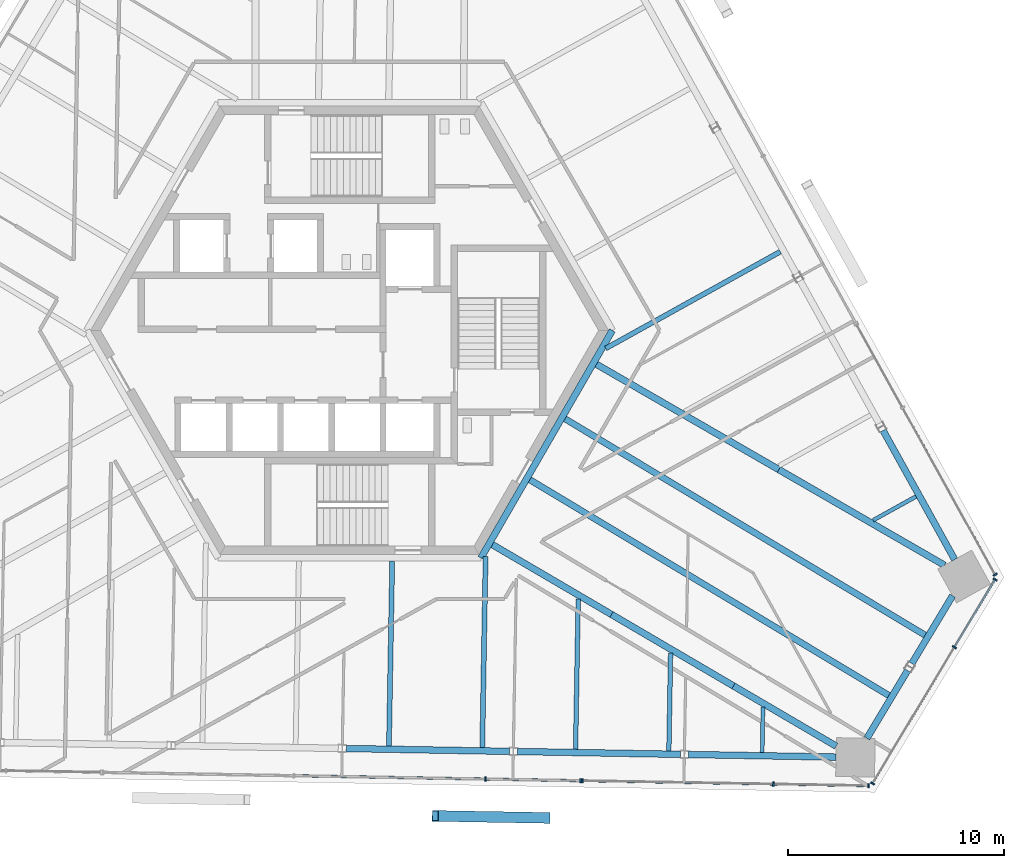
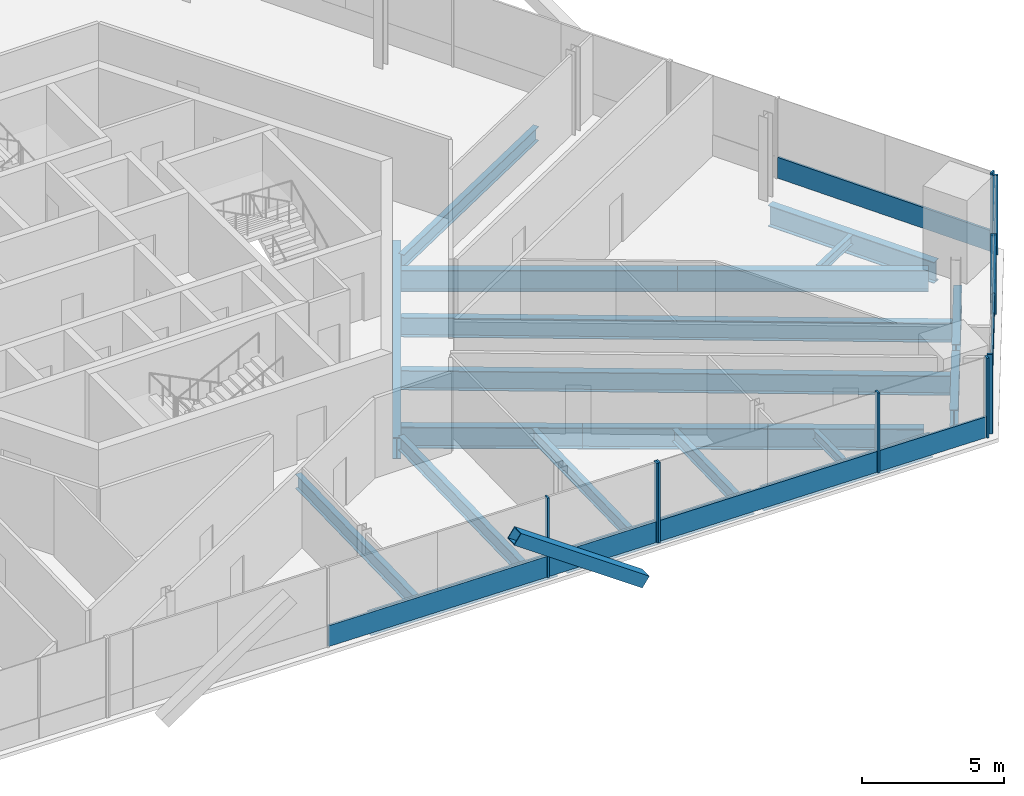
# One storey, part 6 of 18: 21 beams, 17 members, 4 elements without a shape of their own.
"""IFC4 building model written with IfcOpenShell, lengths in metres."""

from ifc_helpers import new_model, si_unit, direction, frame, origin, origin_2d, place, context, subcontext, project, spatial, rectangle, hollow_rectangle, i_section, extrude, source, transform, mapped, material, material_profile, profile_set, type_object, element, aggregate, save


model = new_model("IFC4")

# Units and contexts
model_context = context("Model", 3, precision=1e-05, world=origin(), true_north=direction((0.0, 1.0)))
body_context = subcontext(model_context, "Body", "Model", "MODEL_VIEW")
ifc_project = project(units=[si_unit("LENGTHUNIT", "METRE"), si_unit("AREAUNIT", "SQUARE_METRE"), si_unit("VOLUMEUNIT", "CUBIC_METRE"), si_unit("PLANEANGLEUNIT", "RADIAN"), si_unit("MASSUNIT", "GRAM", prefix="KILO")], contexts=[model_context])

# Site, building, storey
site_placement = place(None, origin())
site = spatial("IfcSite", under=ifc_project, at=site_placement, CompositionType="ELEMENT")
building_placement = place(site_placement, origin())
building = spatial("IfcBuilding", under=site, at=building_placement, Name="Triune Harvest Tower", CompositionType="ELEMENT")
storey_placement = place(building_placement, frame((0.0, 0.0, 190.699951171875)))
storey = spatial("IfcBuildingStorey", under=building, at=storey_placement, Name="L49", CompositionType="ELEMENT", Elevation=190.699951171875)

# Beams
ifc_material_1 = material(Name="Steel ASTM A992 Gr 50", Category="steel")
ifc_material_profile_1 = material_profile(ifc_material_1, i_section(OverallWidth=0.3046875, OverallDepth=0.914306640625, WebThickness=0.0166015625, FlangeThickness=0.02587890625, at=origin_2d()), Name="W36x160")
ifc_profile_set_1 = profile_set([ifc_material_profile_1], Name="Steel ASTM A992 Gr 50")
beam_type_1 = type_object("IfcBeamType", Name="CG-1 Core ring girder W36x160", PredefinedType="BEAM", material=ifc_profile_set_1)
shared_shape_1 = source(origin(), body_context, "Body", "SweptSolid", [
    extrude(i_section(OverallWidth=0.3046875, OverallDepth=0.914306640625, WebThickness=0.0166015625, FlangeThickness=0.02587890625, at=origin_2d()), origin(), (0.0, 0.0, 1.0), 12.176025390625),
])
beam_1_placement = place(storey_placement, frame((6.087890625, -10.544677734375, -0.6171875), z_axis=(0.5000099932, 0.866019634131, 0.0), x_axis=(-0.866019634131, 0.5000099932, 0.0)))
element("IfcBeam", 1, at=beam_1_placement, inside=storey, type_object=beam_type_1, Name="beam/L49/CG6", PredefinedType="BEAM", context=body_context, shape_type="MappedRepresentation", body=[
    mapped(shared_shape_1, transform((0.0, 0.0, 0.0), scale=1.0)),
])
ifc_material_2 = material(Name="Steel ASTM A992 Gr 50", Category="steel")
ifc_material_profile_2 = material_profile(ifc_material_2, i_section(OverallWidth=0.307373046875, OverallDepth=0.922119140625, WebThickness=0.018310546875, FlangeThickness=0.030029296875, at=origin_2d()), Name="W36x182")
ifc_profile_set_2 = profile_set([ifc_material_profile_2], Name="Steel ASTM A992 Gr 50")
beam_type_2 = type_object("IfcBeamType", Name="HG-2 Hip girder W36x182", PredefinedType="BEAM", material=ifc_profile_set_2)
shared_shape_2 = source(origin(), body_context, "Body", "SweptSolid", [
    extrude(i_section(OverallWidth=0.307373046875, OverallDepth=0.922119140625, WebThickness=0.018310546875, FlangeThickness=0.030029296875, at=origin_2d()), origin(), (0.0, 0.0, 1.0), 9.7568359375),
])
beam_2_placement = place(storey_placement, frame((19.893310546875, -6.451904296875, -0.620849609375), z_axis=(-0.866026409454, 0.499998258125, 0.0), x_axis=(-0.499998258125, -0.866026409454, 0.0)))
element("IfcBeam", 2, at=beam_2_placement, inside=storey, type_object=beam_type_2, Name="beam/L49/HG2", PredefinedType="BEAM", context=body_context, shape_type="MappedRepresentation", body=[
    mapped(shared_shape_2, transform((0.0, 0.0, 0.0), scale=1.0)),
])
shared_shape_3 = source(origin(), body_context, "Body", "SweptSolid", [
    extrude(i_section(OverallWidth=0.307373046875, OverallDepth=0.922119140625, WebThickness=0.018310546875, FlangeThickness=0.030029296875, at=origin_2d()), origin(), (0.0, 0.0, 1.0), 6.549560546875),
])
beam_3_placement = place(storey_placement, frame((17.789306640625, -16.475341796875, -0.620849609375), z_axis=(-0.862742829324, 0.50564296737, 0.0), x_axis=(-0.50564296737, -0.862742829324, 0.0)))
element("IfcBeam", 3, at=beam_3_placement, inside=storey, type_object=beam_type_2, Name="beam/L49/HG9", PredefinedType="BEAM", context=body_context, shape_type="MappedRepresentation", body=[
    mapped(shared_shape_3, transform((0.0, 0.0, 0.0), scale=1.0)),
])
shared_shape_4 = source(origin(), body_context, "Body", "SweptSolid", [
    extrude(i_section(OverallWidth=0.307373046875, OverallDepth=0.922119140625, WebThickness=0.018310546875, FlangeThickness=0.030029296875, at=origin_2d()), origin(), (0.0, 0.0, 1.0), 6.397216796875),
])
beam_4_placement = place(storey_placement, frame((12.138671875, -13.16357421875, -0.620849609375), z_axis=(-0.862754230068, 0.505623514583, 0.0), x_axis=(-0.505623514583, -0.862754230068, 0.0)))
element("IfcBeam", 4, at=beam_4_placement, inside=storey, type_object=beam_type_2, Name="beam/L49/HG10", PredefinedType="BEAM", context=body_context, shape_type="MappedRepresentation", body=[
    mapped(shared_shape_4, transform((0.0, 0.0, 0.0), scale=1.0)),
])
ifc_material_3 = material(Name="Steel ASTM A992 Gr 50", Category="steel")
ifc_material_profile_3 = material_profile(ifc_material_3, i_section(OverallWidth=0.3046875, OverallDepth=0.914306640625, WebThickness=0.0166015625, FlangeThickness=0.02587890625, at=origin_2d()), Name="W36x160")
ifc_profile_set_3 = profile_set([ifc_material_profile_3], Name="Steel ASTM A992 Gr 50")
beam_type_3 = type_object("IfcBeamType", Name="SB-1 Spandrel beam W36x160", PredefinedType="SPANDREL", material=ifc_profile_set_3)
shared_shape_5 = source(origin(), body_context, "Body", "SweptSolid", [
    extrude(i_section(OverallWidth=0.3046875, OverallDepth=0.914306640625, WebThickness=0.0166015625, FlangeThickness=0.02587890625, at=origin_2d()), origin(), (0.0, 0.0, 1.0), 6.841796875),
])
for number, where, z_axis, x_axis, name in (
    (5, (28.0390625, -10.61962890625, -0.6171875), (-0.484833781575, 0.87460631386, 0.0), (-0.87460631386, -0.484833781575, 0.0), "beam/L49/SB1"),
    (6, (15.69921875, -19.65185546875, -0.6171875), (0.999847128578, -0.017484835582, 0.0), (0.017484835582, 0.999847128578, 0.0), "beam/L49/SB22"),
):
    element("IfcBeam", number, at=place(storey_placement, frame(where, z_axis=z_axis, x_axis=x_axis)), inside=storey, type_object=beam_type_3, Name=name, PredefinedType="SPANDREL", context=body_context, shape_type="MappedRepresentation", body=[
        mapped(shared_shape_5, transform((0.0, 0.0, 0.0), scale=1.0)),
    ])
shared_shape_6 = source(origin(), body_context, "Body", "SweptSolid", [
    extrude(i_section(OverallWidth=0.3046875, OverallDepth=0.914306640625, WebThickness=0.0166015625, FlangeThickness=0.02587890625, at=origin_2d()), origin(), (0.0, 0.0, 1.0), 3.66357421875),
])
beam_5_placement = place(storey_placement, frame((23.97509765625, -18.896240234375, -0.6171875), z_axis=(0.51504443288, 0.857163480416, 0.0), x_axis=(-0.857163480416, 0.51504443288, 0.0)))
element("IfcBeam", 7, at=beam_5_placement, inside=storey, type_object=beam_type_3, Name="beam/L49/SB23", PredefinedType="SPANDREL", context=body_context, shape_type="MappedRepresentation", body=[
    mapped(shared_shape_6, transform((0.0, 0.0, 0.0), scale=1.0)),
])
shared_shape_7 = source(origin(), body_context, "Body", "SweptSolid", [
    extrude(i_section(OverallWidth=0.3046875, OverallDepth=0.914306640625, WebThickness=0.0166015625, FlangeThickness=0.02587890625, at=origin_2d()), origin(), (0.0, 0.0, 1.0), 7.556640625),
])
for number, where, z_axis, x_axis, name in (
    (8, (-0.15283203125, -19.375244140625, -0.6171875), (0.999847797686, -0.017446531514, 0.0), (0.017446531514, 0.999847797686, 0.0), "beam/L49/SB20"),
    (9, (7.773193359375, -19.513671875, -0.6171875), (0.999847797686, -0.017446531514, 0.0), (0.017446531514, 0.999847797686, 0.0), "beam/L49/SB21"),
):
    element("IfcBeam", number, at=place(storey_placement, frame(where, z_axis=z_axis, x_axis=x_axis)), inside=storey, type_object=beam_type_3, Name=name, PredefinedType="SPANDREL", context=body_context, shape_type="MappedRepresentation", body=[
        mapped(shared_shape_7, transform((0.0, 0.0, 0.0), scale=1.0)),
    ])
shared_shape_8 = source(origin(), body_context, "Body", "SweptSolid", [
    extrude(i_section(OverallWidth=0.3046875, OverallDepth=0.914306640625, WebThickness=0.0166015625, FlangeThickness=0.02587890625, at=origin_2d()), origin(), (0.0, 0.0, 1.0), 3.663818359375),
])
beam_6_placement = place(storey_placement, frame((26.052978515625, -15.43798828125, -0.6171875), z_axis=(0.515093391182, 0.857134060903, 0.0), x_axis=(-0.857134060903, 0.515093391182, 0.0)))
element("IfcBeam", 10, at=beam_6_placement, inside=storey, type_object=beam_type_3, Name="beam/L49/SB24", PredefinedType="SPANDREL", context=body_context, shape_type="MappedRepresentation", body=[
    mapped(shared_shape_8, transform((0.0, 0.0, 0.0), scale=1.0)),
])
shared_shape_9 = source(origin(), body_context, "Body", "SweptSolid", [
    extrude(i_section(OverallWidth=0.307373046875, OverallDepth=0.922119140625, WebThickness=0.018310546875, FlangeThickness=0.030029296875, at=origin_2d()), origin(), (0.0, 0.0, 1.0), 8.859619140625),
])
beam_7_placement = place(storey_placement, frame((27.56591796875, -10.8818359375, -0.620849609375), z_axis=(-0.866018088107, 0.500012670911, 0.0), x_axis=(-0.500012670911, -0.866018088107, 0.0)))
element("IfcBeam", 11, at=beam_7_placement, inside=storey, type_object=beam_type_2, Name="beam/L49/HG1", PredefinedType="BEAM", context=body_context, shape_type="MappedRepresentation", body=[
    mapped(shared_shape_9, transform((0.0, 0.0, 0.0), scale=1.0)),
])
shared_shape_10 = source(origin(), body_context, "Body", "SweptSolid", [
    extrude(i_section(OverallWidth=0.307373046875, OverallDepth=0.922119140625, WebThickness=0.018310546875, FlangeThickness=0.030029296875, at=origin_2d()), origin(), (0.0, 0.0, 1.0), 5.516845703125),
])
beam_8_placement = place(storey_placement, frame((22.548828125, -19.264892578125, -0.620849609375), z_axis=(-0.862738579495, 0.505650218482, 0.0), x_axis=(-0.505650218482, -0.862738579495, 0.0)))
element("IfcBeam", 12, at=beam_8_placement, inside=storey, type_object=beam_type_2, Name="beam/L49/HG8", PredefinedType="BEAM", context=body_context, shape_type="MappedRepresentation", body=[
    mapped(shared_shape_10, transform((0.0, 0.0, 0.0), scale=1.0)),
])
ifc_material_4 = material(Name="Steel ASTM A992 Gr 50", Category="steel")
ifc_material_profile_4 = material_profile(ifc_material_4, i_section(OverallWidth=0.180908203125, OverallDepth=0.41650390625, WebThickness=0.010986328125, FlangeThickness=0.01806640625, at=origin_2d()), Name="W16x57")
ifc_profile_set_4 = profile_set([ifc_material_profile_4], Name="Steel ASTM A992 Gr 50")
beam_type_4 = type_object("IfcBeamType", Name="JT-1 Floor joist W16x57", PredefinedType="JOIST", material=ifc_profile_set_4)
shared_shape_11 = source(origin(), body_context, "Body", "SweptSolid", [
    extrude(i_section(OverallWidth=0.180908203125, OverallDepth=0.41650390625, WebThickness=0.010986328125, FlangeThickness=0.01806640625, at=origin_2d()), origin(), (0.0, 0.0, 1.0), 2.266357421875),
])
beam_9_placement = place(storey_placement, frame((26.24560546875, -7.698974609375, -0.3681640625), z_axis=(-0.874639585413, -0.484773757157, 0.0), x_axis=(0.484773757157, -0.874639585413, 0.0)))
element("IfcBeam", 13, at=beam_9_placement, inside=storey, type_object=beam_type_4, Name="beam/L49/JT1", PredefinedType="JOIST", context=body_context, shape_type="MappedRepresentation", body=[
    mapped(shared_shape_11, transform((0.0, 0.0, 0.0), scale=1.0)),
])
ifc_material_5 = material(Name="Steel ASTM A992 Gr 50", Category="steel")
ifc_material_profile_5 = material_profile(ifc_material_5, i_section(OverallWidth=0.22900390625, OverallDepth=0.612060546875, WebThickness=0.011962890625, FlangeThickness=0.01953125, at=origin_2d()), Name="W24x84")
ifc_profile_set_5 = profile_set([ifc_material_profile_5], Name="Steel ASTM A992 Gr 50")
beam_type_5 = type_object("IfcBeamType", Name="JT-3 Floor joist W24x84", PredefinedType="JOIST", material=ifc_profile_set_5)
shared_shape_12 = source(origin(), body_context, "Body", "SweptSolid", [
    extrude(i_section(OverallWidth=0.22900390625, OverallDepth=0.612060546875, WebThickness=0.011962890625, FlangeThickness=0.01953125, at=origin_2d()), origin(), (0.0, 0.0, 1.0), 9.247314453125),
])
beam_10_placement = place(storey_placement, frame((19.956787109375, 3.646484375, -0.466064453125), z_axis=(-0.874621389222, -0.484806585676, 0.0), x_axis=(0.484806585676, -0.874621389222, 0.0)))
element("IfcBeam", 14, at=beam_10_placement, inside=storey, type_object=beam_type_5, Name="beam/L49/JT4", PredefinedType="JOIST", context=body_context, shape_type="MappedRepresentation", body=[
    mapped(shared_shape_12, transform((0.0, 0.0, 0.0), scale=1.0)),
])
ifc_material_6 = material(Name="Steel ASTM A992 Gr 50", Category="steel")
ifc_material_profile_6 = material_profile(ifc_material_6, i_section(OverallWidth=0.2919921875, OverallDepth=0.8408203125, WebThickness=0.0146484375, FlangeThickness=0.021728515625, at=origin_2d()), Name="W33x130")
ifc_profile_set_6 = profile_set([ifc_material_profile_6], Name="Steel ASTM A992 Gr 50")
beam_type_6 = type_object("IfcBeamType", Name="JT-6 Floor joist W33x130", PredefinedType="JOIST", material=ifc_profile_set_6)
shared_shape_13 = source(origin(), body_context, "Body", "SweptSolid", [
    extrude(i_section(OverallWidth=0.2919921875, OverallDepth=0.8408203125, WebThickness=0.0146484375, FlangeThickness=0.021728515625, at=origin_2d()), origin(), (0.0, 0.0, 1.0), 19.403564453125),
])
beam_11_placement = place(storey_placement, frame((24.98779296875, -16.915283203125, -0.580322265625), z_axis=(-0.857165243619, 0.515041498456, 0.0), x_axis=(-0.515041498456, -0.857165243619, 0.0)))
element("IfcBeam", 15, at=beam_11_placement, inside=storey, type_object=beam_type_6, Name="beam/L49/JT35", PredefinedType="JOIST", context=body_context, shape_type="MappedRepresentation", body=[
    mapped(shared_shape_13, transform((0.0, 0.0, 0.0), scale=1.0)),
])
shared_shape_14 = source(origin(), body_context, "Body", "SweptSolid", [
    extrude(i_section(OverallWidth=0.2919921875, OverallDepth=0.8408203125, WebThickness=0.0146484375, FlangeThickness=0.021728515625, at=origin_2d()), origin(), (0.0, 0.0, 1.0), 19.460205078125),
])
beam_12_placement = place(storey_placement, frame((26.666259765625, -14.12158203125, -0.580322265625), z_axis=(-0.85716841359, 0.515036222749, 0.0), x_axis=(-0.515036222749, -0.85716841359, 0.0)))
element("IfcBeam", 16, at=beam_12_placement, inside=storey, type_object=beam_type_6, Name="beam/L49/JT36", PredefinedType="JOIST", context=body_context, shape_type="MappedRepresentation", body=[
    mapped(shared_shape_14, transform((0.0, 0.0, 0.0), scale=1.0)),
])
shared_shape_15 = source(origin(), body_context, "Body", "SweptSolid", [
    extrude(i_section(OverallWidth=0.22900390625, OverallDepth=0.612060546875, WebThickness=0.011962890625, FlangeThickness=0.01953125, at=origin_2d()), origin(), (0.0, 0.0, 1.0), 8.5615234375),
])
beam_13_placement = place(storey_placement, frame((1.826171875, -19.25732421875, -0.466064453125), z_axis=(0.017451638412, 0.999847708562, 0.0), x_axis=(-0.999847708562, 0.017451638412, 0.0)))
element("IfcBeam", 17, at=beam_13_placement, inside=storey, type_object=beam_type_5, Name="beam/L49/JT30", PredefinedType="JOIST", context=body_context, shape_type="MappedRepresentation", body=[
    mapped(shared_shape_15, transform((0.0, 0.0, 0.0), scale=1.0)),
])
shared_shape_16 = source(origin(), body_context, "Body", "SweptSolid", [
    extrude(i_section(OverallWidth=0.180908203125, OverallDepth=0.41650390625, WebThickness=0.010986328125, FlangeThickness=0.01806640625, at=origin_2d()), origin(), (0.0, 0.0, 1.0), 2.104736328125),
])
beam_14_placement = place(storey_placement, frame((19.119384765625, -19.55908203125, -0.3681640625), z_axis=(0.017398758065, 0.999848630152, 0.0), x_axis=(-0.999848630152, 0.017398758065, 0.0)))
element("IfcBeam", 18, at=beam_14_placement, inside=storey, type_object=beam_type_4, Name="beam/L49/JT34", PredefinedType="JOIST", context=body_context, shape_type="MappedRepresentation", body=[
    mapped(shared_shape_16, transform((0.0, 0.0, 0.0), scale=1.0)),
])
shared_shape_17 = source(origin(), body_context, "Body", "SweptSolid", [
    extrude(i_section(OverallWidth=0.22900390625, OverallDepth=0.612060546875, WebThickness=0.011962890625, FlangeThickness=0.01953125, at=origin_2d()), origin(), (0.0, 0.0, 1.0), 8.859130859375),
])
beam_15_placement = place(storey_placement, frame((6.1494140625, -19.3330078125, -0.466064453125), z_axis=(0.017472043805, 0.999847352192, 0.0), x_axis=(-0.999847352192, 0.017472043805, 0.0)))
element("IfcBeam", 19, at=beam_15_placement, inside=storey, type_object=beam_type_5, Name="beam/L49/JT31", PredefinedType="JOIST", context=body_context, shape_type="MappedRepresentation", body=[
    mapped(shared_shape_17, transform((0.0, 0.0, 0.0), scale=1.0)),
])
ifc_material_7 = material(Name="Steel ASTM A992 Gr 50", Category="steel")
ifc_material_profile_7 = material_profile(ifc_material_7, i_section(OverallWidth=0.2099609375, OverallDepth=0.535888671875, WebThickness=0.010986328125, FlangeThickness=0.017333984375, at=origin_2d()), Name="W21x68")
ifc_profile_set_7 = profile_set([ifc_material_profile_7], Name="Steel ASTM A992 Gr 50")
beam_type_7 = type_object("IfcBeamType", Name="JT-2 Floor joist W21x68", PredefinedType="JOIST", material=ifc_profile_set_7)
shared_shape_18 = source(origin(), body_context, "Body", "SweptSolid", [
    extrude(i_section(OverallWidth=0.2099609375, OverallDepth=0.535888671875, WebThickness=0.010986328125, FlangeThickness=0.017333984375, at=origin_2d()), origin(), (0.0, 0.0, 1.0), 6.972412109375),
])
beam_16_placement = place(storey_placement, frame((10.47265625, -19.408203125, -0.427978515625), z_axis=(0.017472380522, 0.999847346308, 0.0), x_axis=(-0.999847346308, 0.017472380522, 0.0)))
element("IfcBeam", 20, at=beam_16_placement, inside=storey, type_object=beam_type_7, Name="beam/L49/JT32", PredefinedType="JOIST", context=body_context, shape_type="MappedRepresentation", body=[
    mapped(shared_shape_18, transform((0.0, 0.0, 0.0), scale=1.0)),
])
shared_shape_19 = source(origin(), body_context, "Body", "SweptSolid", [
    extrude(i_section(OverallWidth=0.2099609375, OverallDepth=0.535888671875, WebThickness=0.010986328125, FlangeThickness=0.017333984375, at=origin_2d()), origin(), (0.0, 0.0, 1.0), 4.5390625),
])
beam_17_placement = place(storey_placement, frame((14.7958984375, -19.48388671875, -0.427978515625), z_axis=(0.017480786476, 0.999847199378, 0.0), x_axis=(-0.999847199378, 0.017480786476, 0.0)))
element("IfcBeam", 21, at=beam_17_placement, inside=storey, type_object=beam_type_7, Name="beam/L49/JT33", PredefinedType="JOIST", context=body_context, shape_type="MappedRepresentation", body=[
    mapped(shared_shape_19, transform((0.0, 0.0, 0.0), scale=1.0)),
])

# Member
ifc_material_8 = material(Name="Steel ASTM A572 Gr 50", Category="steel")
ifc_material_profile_8 = material_profile(ifc_material_8, hollow_rectangle(XDim=0.5, YDim=0.5, WallThickness=0.030029296875, at=origin_2d()), Name="Box 500x500x30")
ifc_profile_set_8 = profile_set([ifc_material_profile_8], Name="Steel ASTM A572 Gr 50")
member_type_1 = type_object("IfcMemberType", Name="BR-3 Brace Box 500x500x30", PredefinedType="BRACE", material=ifc_profile_set_8)
shared_shape_20 = source(origin(), body_context, "Body", "SweptSolid", [
    extrude(hollow_rectangle(XDim=0.5, YDim=0.5, WallThickness=0.030029296875, at=origin_2d()), origin(), (0.0, 0.0, 1.0), 6.302978515625),
])
member_1_placement = place(storey_placement, frame((9.14697265625, -22.590087890625, 0.0), z_axis=(-0.820702450546, 0.014331692784, 0.57117605889), x_axis=(-0.017460052757, -0.99984756166, 0.0)))
element("IfcMember", 22, at=member_1_placement, inside=storey, type_object=member_type_1, Name="brace/B5-F5/d2/4", PredefinedType="BRACE", context=body_context, shape_type="MappedRepresentation", body=[
    mapped(shared_shape_20, transform((0.0, 0.0, 0.0), scale=1.0)),
])

# Curtain wall, member
ifc_material_9 = material(Name="Aluminium bronze anodised", Category="aluminium")
curtain_wall_type_1 = type_object("IfcCurtainWallType", Name="CW-1 Tower stick curtain wall", PredefinedType="NOTDEFINED", material=ifc_material_9)
curtain_wall_1_placement = place(storey_placement, origin())
curtain_wall_1 = element("IfcCurtainWall", 23, at=curtain_wall_1_placement, inside=storey, type_object=curtain_wall_type_1, Name="CW-1 B5-F1 L49 run 1")
ifc_material_10 = material(Name="Aluminium bronze anodised", Category="aluminium")
ifc_material_profile_9 = material_profile(ifc_material_10, rectangle(XDim=0.199951171875, YDim=0.074951171875, at=origin_2d()), Name="MU-1 mullion 75 x 200")
ifc_profile_set_9 = profile_set([ifc_material_profile_9], Name="Aluminium bronze anodised")
member_type_2 = type_object("IfcMemberType", Name="MU-1 mullion 75 x 200", PredefinedType="MULLION", material=ifc_profile_set_9)
shared_shape_21 = source(origin(), body_context, "Body", "SweptSolid", [
    extrude(rectangle(XDim=0.199951171875, YDim=0.074951171875, at=origin_2d()), origin(), (0.0, 0.0, 1.0), 3.43994140625),
])
member_2_placement = place(storey_placement, frame((29.916748046875, -11.321533203125, 0.0), z_axis=(0.0, 0.0, 1.0), x_axis=(-0.874620747076, -0.484807744147, 0.0)))
member_2 = element("IfcMember", 24, at=member_2_placement, type_object=member_type_2, Name="CW-1 mullion B5-F1 1.1", PredefinedType="MULLION", context=body_context, shape_type="MappedRepresentation", body=[
    mapped(shared_shape_21, transform((0.0, 0.0, 0.0), scale=1.0)),
])

# Curtain wall, members
ifc_material_11 = material(Name="Aluminium bronze anodised", Category="aluminium")
curtain_wall_type_2 = type_object("IfcCurtainWallType", Name="CW-7 Tower stick curtain wall with insulated spandrel infill", PredefinedType="NOTDEFINED", material=ifc_material_11)
curtain_wall_2_placement = place(storey_placement, origin())
curtain_wall_2 = element("IfcCurtainWall", 25, at=curtain_wall_2_placement, inside=storey, type_object=curtain_wall_type_2, Name="CW-7 B5-F5 L49 run 1001")
member_3_placement = place(storey_placement, frame((6.304443359375, -20.790283203125, 0.0), z_axis=(0.0, 0.0, 1.0), x_axis=(0.017447237873, 0.999847785361, 0.0)))
member_3 = element("IfcMember", 26, at=member_3_placement, type_object=member_type_2, Name="CW-7 mullion B5-F5 1001.5", PredefinedType="MULLION", context=body_context, shape_type="MappedRepresentation", body=[
    mapped(shared_shape_21, transform((0.0, 0.0, 0.0), scale=1.0)),
])
member_4_placement = place(storey_placement, frame((10.710693359375, -20.8671875, 0.0), z_axis=(0.0, 0.0, 1.0), x_axis=(0.017447237873, 0.999847785361, 0.0)))
member_4 = element("IfcMember", 27, at=member_4_placement, type_object=member_type_2, Name="CW-7 mullion B5-F5 1001.6", PredefinedType="MULLION", context=body_context, shape_type="MappedRepresentation", body=[
    mapped(shared_shape_21, transform((0.0, 0.0, 0.0), scale=1.0)),
])

curtain_wall_3_placement = place(storey_placement, origin())
curtain_wall_3 = element("IfcCurtainWall", 28, at=curtain_wall_3_placement, inside=storey, type_object=curtain_wall_type_1, Name="CW-1 B5-F5 L49 run 2001")
member_5_placement = place(storey_placement, frame((10.78564453125, -20.868408203125, 0.0), z_axis=(0.0, 0.0, 1.0), x_axis=(0.017455340552, 0.999847643937, 0.0)))
member_5 = element("IfcMember", 29, at=member_5_placement, type_object=member_type_2, Name="CW-1 mullion B5-F5 2001.1", PredefinedType="MULLION", context=body_context, shape_type="MappedRepresentation", body=[
    mapped(shared_shape_21, transform((0.0, 0.0, 0.0), scale=1.0)),
])
member_6_placement = place(storey_placement, frame((19.63525390625, -21.02294921875, 0.0), z_axis=(0.0, 0.0, 1.0), x_axis=(0.017455340552, 0.999847643937, 0.0)))
member_6 = element("IfcMember", 30, at=member_6_placement, type_object=member_type_2, Name="CW-1 mullion B5-F5 2001.3", PredefinedType="MULLION", context=body_context, shape_type="MappedRepresentation", body=[
    mapped(shared_shape_21, transform((0.0, 0.0, 0.0), scale=1.0)),
])
member_7_placement = place(storey_placement, frame((24.04150390625, -21.099853515625, 0.0), z_axis=(0.0, 0.0, 1.0), x_axis=(0.017455340552, 0.999847643937, 0.0)))
member_7 = element("IfcMember", 31, at=member_7_placement, type_object=member_type_2, Name="CW-1 mullion B5-F5 2001.4", PredefinedType="MULLION", context=body_context, shape_type="MappedRepresentation", body=[
    mapped(shared_shape_21, transform((0.0, 0.0, 0.0), scale=1.0)),
])

curtain_wall_4_placement = place(storey_placement, origin())
curtain_wall_4 = element("IfcCurtainWall", 32, at=curtain_wall_4_placement, inside=storey, type_object=curtain_wall_type_1, Name="CW-1 B5-F6 L49 run 1")
member_8_placement = place(storey_placement, frame((24.234619140625, -20.992919921875, 0.0), z_axis=(0.0, 0.0, 1.0), x_axis=(-0.857168135313, 0.515036685882, 0.0)))
member_8 = element("IfcMember", 33, at=member_8_placement, type_object=member_type_2, Name="CW-1 mullion B5-F6 1.1", PredefinedType="MULLION", context=body_context, shape_type="MappedRepresentation", body=[
    mapped(shared_shape_21, transform((0.0, 0.0, 0.0), scale=1.0)),
])
member_9_placement = place(storey_placement, frame((28.026611328125, -14.681884765625, 0.0), z_axis=(0.0, 0.0, 1.0), x_axis=(-0.857168135313, 0.515036685882, 0.0)))
member_9 = element("IfcMember", 34, at=member_9_placement, type_object=member_type_2, Name="CW-1 mullion B5-F6 1.3", PredefinedType="MULLION", context=body_context, shape_type="MappedRepresentation", body=[
    mapped(shared_shape_21, transform((0.0, 0.0, 0.0), scale=1.0)),
])
member_10_placement = place(storey_placement, frame((29.912841796875, -11.54248046875, 0.0), z_axis=(0.0, 0.0, 1.0), x_axis=(-0.857168135313, 0.515036685882, 0.0)))
member_10 = element("IfcMember", 35, at=member_10_placement, type_object=member_type_2, Name="CW-1 mullion B5-F6 1.4", PredefinedType="MULLION", context=body_context, shape_type="MappedRepresentation", body=[
    mapped(shared_shape_21, transform((0.0, 0.0, 0.0), scale=1.0)),
])
ifc_material_12 = material(Name="Aluminium bronze anodised", Category="aluminium")
ifc_material_profile_10 = material_profile(ifc_material_12, rectangle(XDim=0.090087890625, YDim=0.89990234375, at=origin_2d()), Name="TR-1 transom 90 x 900")
ifc_profile_set_10 = profile_set([ifc_material_profile_10], Name="Aluminium bronze anodised")
member_type_3 = type_object("IfcMemberType", Name="TR-1 transom 90 x 900", PredefinedType="USERDEFINED", material=ifc_profile_set_10)
shared_shape_22 = source(origin(), body_context, "Body", "SweptSolid", [
    extrude(rectangle(XDim=0.090087890625, YDim=0.89990234375, at=origin_2d()), origin(), (0.0, 0.0, 1.0), 7.287841796875),
])
member_11_placement = place(storey_placement, frame((24.25390625, -20.960693359375, 0.449951171875), z_axis=(0.515032643637, 0.857170564117, 0.0), x_axis=(-0.857170564117, 0.515032643637, 0.0)))
member_11 = element("IfcMember", 36, at=member_11_placement, type_object=member_type_3, Name="CW-1 transom B5-F6 1.1", ObjectType="TRANSOM", PredefinedType="USERDEFINED", context=body_context, shape_type="MappedRepresentation", body=[
    mapped(shared_shape_22, transform((0.0, 0.0, 0.0), scale=1.0)),
])
shared_shape_23 = source(origin(), body_context, "Body", "SweptSolid", [
    extrude(rectangle(XDim=0.090087890625, YDim=0.89990234375, at=origin_2d()), origin(), (0.0, 0.0, 1.0), 3.587646484375),
])
member_12_placement = place(storey_placement, frame((28.0458984375, -14.649658203125, 0.449951171875), z_axis=(0.515016056834, 0.857180530112, 0.0), x_axis=(-0.857180530112, 0.515016056834, 0.0)))
member_12 = element("IfcMember", 37, at=member_12_placement, type_object=member_type_3, Name="CW-1 transom B5-F6 1.2", ObjectType="TRANSOM", PredefinedType="USERDEFINED", context=body_context, shape_type="MappedRepresentation", body=[
    mapped(shared_shape_23, transform((0.0, 0.0, 0.0), scale=1.0)),
])
aggregate(curtain_wall_4, [member_8, member_9, member_10, member_11, member_12])

# Member
shared_shape_24 = source(origin(), body_context, "Body", "SweptSolid", [
    extrude(rectangle(XDim=0.090087890625, YDim=0.89990234375, at=origin_2d()), origin(), (0.0, 0.0, 1.0), 8.776123046875),
])
member_13_placement = place(storey_placement, frame((29.898681640625, -11.288818359375, 0.449951171875), z_axis=(-0.484820758648, 0.87461353293, 0.0), x_axis=(-0.87461353293, -0.484820758648, 0.0)))
member_13 = element("IfcMember", 38, at=member_13_placement, type_object=member_type_3, Name="CW-1 transom B5-F1 1.1", ObjectType="TRANSOM", PredefinedType="USERDEFINED", context=body_context, shape_type="MappedRepresentation", body=[
    mapped(shared_shape_24, transform((0.0, 0.0, 0.0), scale=1.0)),
])

aggregate(curtain_wall_1, [member_2, member_13])

member_14_placement = place(storey_placement, frame((10.822998046875, -20.869140625, 0.449951171875), z_axis=(0.999847874683, -0.017442118341, 0.0), x_axis=(0.017442118341, 0.999847874683, 0.0)))
member_14 = element("IfcMember", 39, at=member_14_placement, type_object=member_type_3, Name="CW-1 transom B5-F5 2001.1", ObjectType="TRANSOM", PredefinedType="USERDEFINED", context=body_context, shape_type="MappedRepresentation", body=[
    mapped(shared_shape_24, transform((0.0, 0.0, 0.0), scale=1.0)),
])

shared_shape_25 = source(origin(), body_context, "Body", "SweptSolid", [
    extrude(rectangle(XDim=0.090087890625, YDim=0.89990234375, at=origin_2d()), origin(), (0.0, 0.0, 1.0), 4.331787109375),
])
member_15_placement = place(storey_placement, frame((6.342041015625, -20.791015625, 0.449951171875), z_axis=(0.999848336553, -0.017415622097, 0.0), x_axis=(0.017415622097, 0.999848336553, 0.0)))
member_15 = element("IfcMember", 40, at=member_15_placement, type_object=member_type_3, Name="CW-7 transom B5-F5 1001.3", ObjectType="TRANSOM", PredefinedType="USERDEFINED", context=body_context, shape_type="MappedRepresentation", body=[
    mapped(shared_shape_25, transform((0.0, 0.0, 0.0), scale=1.0)),
])

member_16_placement = place(storey_placement, frame((19.6728515625, -21.023681640625, 0.449951171875), z_axis=(0.999848336553, -0.017415622097, 0.0), x_axis=(0.017415622097, 0.999848336553, 0.0)))
member_16 = element("IfcMember", 41, at=member_16_placement, type_object=member_type_3, Name="CW-1 transom B5-F5 2001.2", ObjectType="TRANSOM", PredefinedType="USERDEFINED", context=body_context, shape_type="MappedRepresentation", body=[
    mapped(shared_shape_25, transform((0.0, 0.0, 0.0), scale=1.0)),
])

aggregate(curtain_wall_3, [member_5, member_6, member_7, member_14, member_16])

shared_shape_26 = source(origin(), body_context, "Body", "SweptSolid", [
    extrude(rectangle(XDim=0.090087890625, YDim=0.89990234375, at=origin_2d()), origin(), (0.0, 0.0, 1.0), 8.8134765625),
])
member_17_placement = place(storey_placement, frame((-2.545166015625, -20.6357421875, 0.449951171875), z_axis=(0.999847714765, -0.017451283012, 0.0), x_axis=(0.017451283012, 0.999847714765, 0.0)))
member_17 = element("IfcMember", 42, at=member_17_placement, type_object=member_type_3, Name="CW-7 transom B5-F5 1001.2", ObjectType="TRANSOM", PredefinedType="USERDEFINED", context=body_context, shape_type="MappedRepresentation", body=[
    mapped(shared_shape_26, transform((0.0, 0.0, 0.0), scale=1.0)),
])

aggregate(curtain_wall_2, [member_3, member_4, member_17, member_15])

save(model, "model.ifc")
